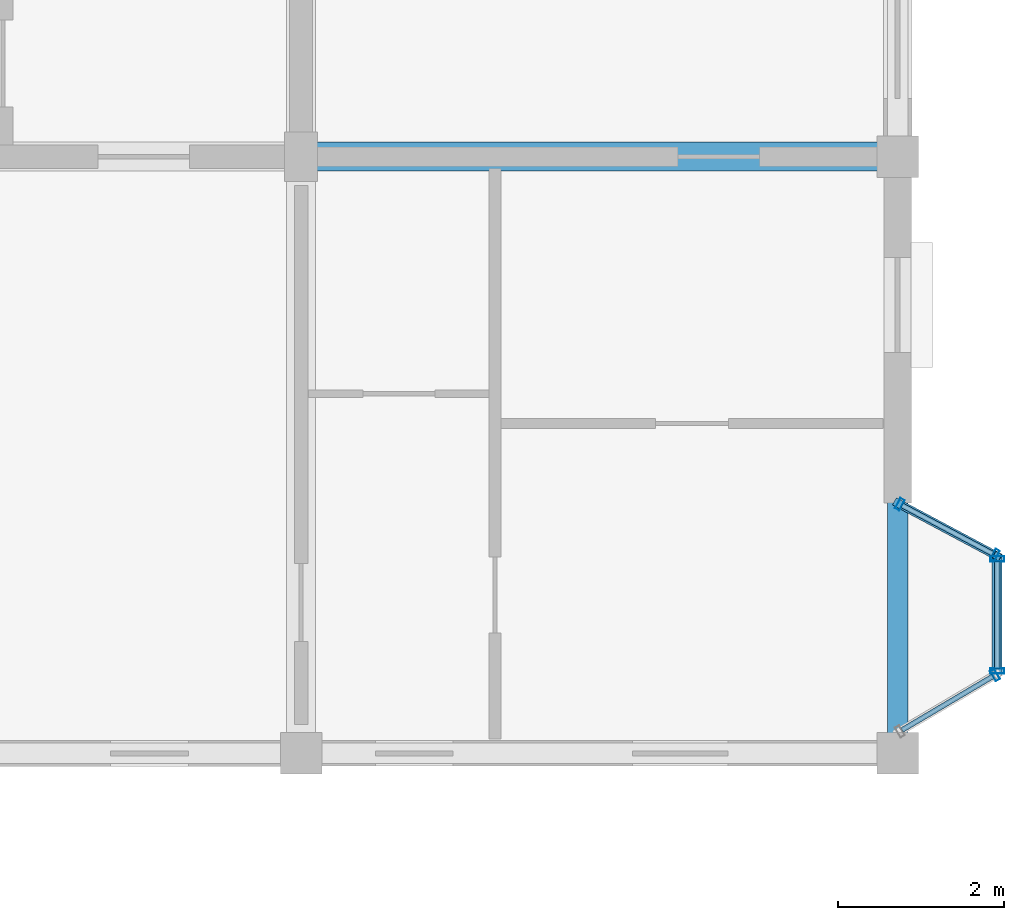
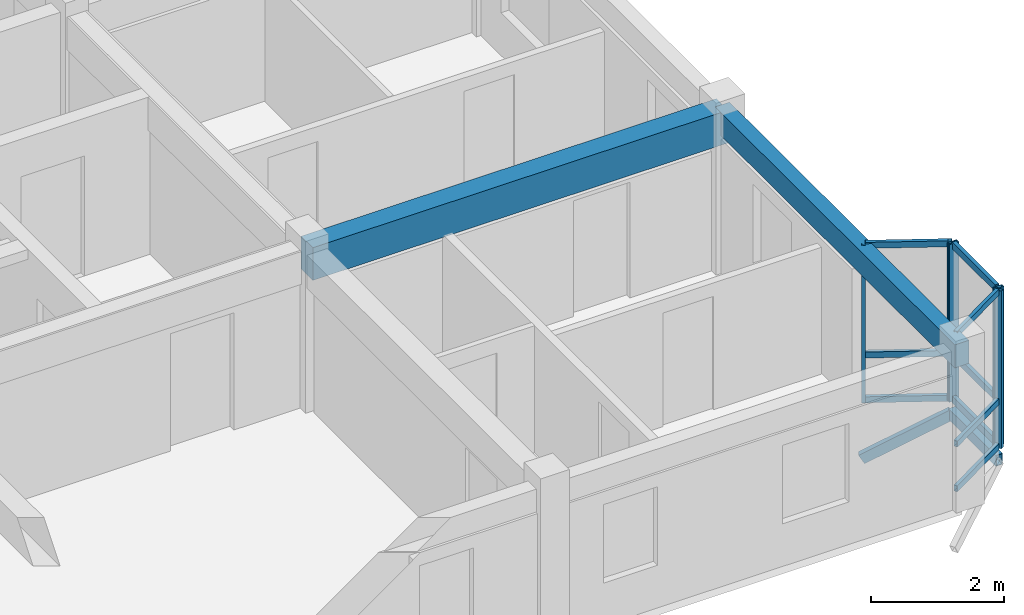
# One storey, part 24 of 70: 16 members, 2 beams, 3 elements without a shape of their own.
"""IFC4 building model written with IfcOpenShell, lengths in metres."""

from ifc_helpers import new_model, si_unit, direction, frame, origin, origin_2d, place, context, subcontext, project, spatial, rectangle, hollow_rectangle, extrude, material, layer, layer_set, material_profile, profile_set, type_object, element, aggregate, save


model = new_model("IFC4")

# Units and contexts
model_context = context("Model", 3, precision=1e-05, world=origin(), true_north=direction((0.0, 1.0)))
body_context = subcontext(model_context, "Body", "Model", "MODEL_VIEW")
ifc_project = project(units=[si_unit("LENGTHUNIT", "METRE"), si_unit("AREAUNIT", "SQUARE_METRE"), si_unit("VOLUMEUNIT", "CUBIC_METRE"), si_unit("PLANEANGLEUNIT", "RADIAN"), si_unit("MASSUNIT", "GRAM", prefix="KILO"), si_unit("THERMODYNAMICTEMPERATUREUNIT", "KELVIN"), si_unit("POWERUNIT", "WATT")], contexts=[model_context])

# Site, building, storey
site_placement = place(None, origin())
site = spatial("IfcSite", under=ifc_project, at=site_placement, CompositionType="ELEMENT")
building_placement = place(site_placement, origin())
building = spatial("IfcBuilding", under=site, at=building_placement, Name="Tavuni Mirador Residences", CompositionType="ELEMENT")
storey_placement = place(building_placement, frame((0.0, 0.0, 23.39990234375)))
storey = spatial("IfcBuildingStorey", under=building, at=storey_placement, Name="L07", CompositionType="ELEMENT", Elevation=23.39990234375)

# Beams
ifc_material_1 = material(Name="Precast concrete C40/50", Category="concrete")
ifc_material_profile_1 = material_profile(ifc_material_1, rectangle(XDim=0.35009765625, YDim=0.60009765625, at=origin_2d()), Name="PC 350x600", Category="concrete")
ifc_profile_set_1 = profile_set([ifc_material_profile_1], Name="Precast concrete C40/50")
beam_type_1 = type_object("IfcBeamType", Name="BT-B600", PredefinedType="BEAM", material=ifc_profile_set_1)
beam_1_placement = place(storey_placement, frame((111.60009765625, 93.60009765625, 2.590087890625), z_axis=(1.0, 0.0, 0.0), x_axis=(0.0, 1.0, 0.0)))
element("IfcBeam", 1, at=beam_1_placement, inside=storey, type_object=beam_type_1, Name="BMX-BLK-D-L07-02-01", PredefinedType="BEAM", context=body_context, shape_type="SweptSolid", body=[
    extrude(rectangle(XDim=0.35009765625, YDim=0.60009765625, at=origin_2d()), origin(), (0.0, 0.0, 1.0), 7.199951171875),
])
ifc_material_profile_2 = material_profile(ifc_material_1, rectangle(XDim=0.25, YDim=0.419921875, at=origin_2d()), Name="PC 250x420", Category="concrete")
ifc_profile_set_2 = profile_set([ifc_material_profile_2], Name="Precast concrete C40/50")
beam_type_2 = type_object("IfcBeamType", Name="BT-SP420", PredefinedType="SPANDREL", material=ifc_profile_set_2)
beam_2_placement = place(storey_placement, frame((118.800048828125, 86.39990234375, 2.68017578125), z_axis=(0.0, 1.0, 0.0), x_axis=(-1.0, 0.0, 0.0)))
element("IfcBeam", 2, at=beam_2_placement, inside=storey, type_object=beam_type_2, Name="BMY-BLK-D-L07-03-00", PredefinedType="SPANDREL", context=body_context, shape_type="SweptSolid", body=[
    extrude(rectangle(XDim=0.25, YDim=0.419921875, at=origin_2d()), origin(), (0.0, 0.0, 1.0), 7.2001953125),
])

# Curtain wall, member
ifc_material_2 = material(Name="Anodised aluminium", Category="aluminium")
ifc_layer_1 = layer(ifc_material_2, 0.1650390625, Name="Anodised aluminium", Category="aluminium")
ifc_layer_set_1 = layer_set([ifc_layer_1], Name="Anodised aluminium")
curtain_wall_type_1 = type_object("IfcCurtainWallType", Name="CWT-MIR-A", PredefinedType="NOTDEFINED", material=ifc_layer_set_1)
curtain_wall_1_placement = place(storey_placement, origin())
curtain_wall_1 = element("IfcCurtainWall", 3, at=curtain_wall_1_placement, inside=storey, type_object=curtain_wall_type_1, Name="CW-MIR-D-E1-L07-M1", PredefinedType="NOTDEFINED")
ifc_material_profile_3 = material_profile(ifc_material_2, hollow_rectangle(XDim=0.06005859375, YDim=0.139892578125, WallThickness=0.00390625, at=origin_2d()), Name="ALU 60x140x4.0", Category="aluminium")
ifc_profile_set_3 = profile_set([ifc_material_profile_3], Name="Anodised aluminium")
member_type_1 = type_object("IfcMemberType", Name="CWM-140", PredefinedType="MULLION", material=ifc_profile_set_3)
member_1_placement = place(storey_placement, frame((119.97412109375, 87.3447265625, 0.0), z_axis=(0.0, 0.0, 1.0), x_axis=(0.860640830284, 0.509212491254, 0.0)))
member_1 = element("IfcMember", 4, at=member_1_placement, type_object=member_type_1, Name="CW-01 mullion 2", PredefinedType="MULLION", context=body_context, shape_type="SweptSolid", body=[
    extrude(hollow_rectangle(XDim=0.06005859375, YDim=0.139892578125, WallThickness=0.00390625, at=origin_2d()), origin(), (0.0, 0.0, 1.0), 2.89013671875),
])

# Curtain wall, members
ifc_layer_2 = layer(ifc_material_2, 0.175048828125, Name="Anodised aluminium", Category="aluminium")
ifc_layer_set_2 = layer_set([ifc_layer_2], Name="Anodised aluminium")
curtain_wall_type_2 = type_object("IfcCurtainWallType", Name="CWT-MIR-C", PredefinedType="NOTDEFINED", material=ifc_layer_set_2)
curtain_wall_2_placement = place(storey_placement, origin())
curtain_wall_2 = element("IfcCurtainWall", 5, at=curtain_wall_2_placement, inside=storey, type_object=curtain_wall_type_2, Name="CW-MIR-D-E1-L07-M2", PredefinedType="NOTDEFINED")
member_2_placement = place(storey_placement, frame((119.9736328125, 88.794189453125, 0.0), z_axis=(0.0, 0.0, 1.0), x_axis=(-0.882352941175, 0.470588235296, 0.0)))
member_2 = element("IfcMember", 6, at=member_2_placement, type_object=member_type_1, Name="CW-03 mullion 1", PredefinedType="MULLION", context=body_context, shape_type="SweptSolid", body=[
    extrude(hollow_rectangle(XDim=0.06005859375, YDim=0.139892578125, WallThickness=0.00390625, at=origin_2d()), origin(), (0.0, 0.0, 1.0), 2.89013671875),
])
member_3_placement = place(storey_placement, frame((118.826416015625, 89.40576171875, 0.0), z_axis=(0.0, 0.0, 1.0), x_axis=(-0.882352941175, 0.470588235296, 0.0)))
member_3 = element("IfcMember", 7, at=member_3_placement, type_object=member_type_1, Name="CW-03 mullion 2", PredefinedType="MULLION", context=body_context, shape_type="SweptSolid", body=[
    extrude(hollow_rectangle(XDim=0.06005859375, YDim=0.139892578125, WallThickness=0.00390625, at=origin_2d()), origin(), (0.0, 0.0, 1.0), 2.89013671875),
])

ifc_layer_3 = layer(ifc_material_2, 0.14990234375, Name="Anodised aluminium", Category="aluminium")
ifc_layer_set_3 = layer_set([ifc_layer_3], Name="Anodised aluminium")
curtain_wall_type_3 = type_object("IfcCurtainWallType", Name="CWT-MIR-B", PredefinedType="NOTDEFINED", material=ifc_layer_set_3)
curtain_wall_3_placement = place(storey_placement, origin())
curtain_wall_3 = element("IfcCurtainWall", 8, at=curtain_wall_3_placement, inside=storey, type_object=curtain_wall_type_3, Name="CW-MIR-D-E1-L07-MF", PredefinedType="NOTDEFINED")
ifc_material_profile_4 = material_profile(ifc_material_2, hollow_rectangle(XDim=0.06494140625, YDim=0.1650390625, WallThickness=0.00439453125, at=origin_2d()), Name="ALU 65x165x4.5", Category="aluminium")
ifc_profile_set_4 = profile_set([ifc_material_profile_4], Name="Anodised aluminium")
member_type_2 = type_object("IfcMemberType", Name="CWM-165", PredefinedType="MULLION", material=ifc_profile_set_4)
member_4_placement = place(storey_placement, frame((120.0, 87.392578125, 0.0), z_axis=(0.0, 0.0, 1.0), x_axis=(0.0, 1.0, 0.0)))
member_4 = element("IfcMember", 9, at=member_4_placement, type_object=member_type_2, Name="CW-02 mullion 1", PredefinedType="MULLION", context=body_context, shape_type="SweptSolid", body=[
    extrude(hollow_rectangle(XDim=0.06494140625, YDim=0.1650390625, WallThickness=0.00439453125, at=origin_2d()), origin(), (0.0, 0.0, 1.0), 2.89013671875),
])
member_5_placement = place(storey_placement, frame((120.0, 88.74755859375, 0.0), z_axis=(0.0, 0.0, 1.0), x_axis=(0.0, 1.0, 0.0)))
member_5 = element("IfcMember", 10, at=member_5_placement, type_object=member_type_2, Name="CW-02 mullion 2", PredefinedType="MULLION", context=body_context, shape_type="SweptSolid", body=[
    extrude(hollow_rectangle(XDim=0.06494140625, YDim=0.1650390625, WallThickness=0.00439453125, at=origin_2d()), origin(), (0.0, 0.0, 1.0), 2.89013671875),
])

# Member
ifc_material_profile_5 = material_profile(ifc_material_2, hollow_rectangle(XDim=0.06005859375, YDim=0.110107421875, WallThickness=0.00390625, at=origin_2d()), Name="ALU 60x110x4.0", Category="aluminium")
ifc_profile_set_5 = profile_set([ifc_material_profile_5], Name="Anodised aluminium")
member_type_3 = type_object("IfcMemberType", Name="CWT-110", PredefinedType="USERDEFINED", material=ifc_profile_set_5)
member_6_placement = place(storey_placement, frame((118.8515625, 86.6806640625, 0.030029296875), z_axis=(0.860705202114, 0.509103678098, 0.0), x_axis=(-0.509103678098, 0.860705202114, 0.0)))
member_6 = element("IfcMember", 11, at=member_6_placement, type_object=member_type_3, Name="CW-01 transom 1.1", ObjectType="TRANSOM", PredefinedType="USERDEFINED", context=body_context, shape_type="SweptSolid", body=[
    extrude(hollow_rectangle(XDim=0.06005859375, YDim=0.110107421875, WallThickness=0.00390625, at=origin_2d()), origin(), (0.0, 0.0, 1.0), 1.274169921875),
])

member_7_placement = place(storey_placement, frame((118.8515625, 86.6806640625, 0.85009765625), z_axis=(0.860705202114, 0.509103678098, 0.0), x_axis=(-0.509103678098, 0.860705202114, 0.0)))
member_7 = element("IfcMember", 12, at=member_7_placement, type_object=member_type_3, Name="CW-01 transom 1.2", ObjectType="TRANSOM", PredefinedType="USERDEFINED", context=body_context, shape_type="SweptSolid", body=[
    extrude(hollow_rectangle(XDim=0.06005859375, YDim=0.110107421875, WallThickness=0.00390625, at=origin_2d()), origin(), (0.0, 0.0, 1.0), 1.274169921875),
])

member_8_placement = place(storey_placement, frame((118.8515625, 86.6806640625, 2.860107421875), z_axis=(0.860705202114, 0.509103678098, 0.0), x_axis=(-0.509103678098, 0.860705202114, 0.0)))
member_8 = element("IfcMember", 13, at=member_8_placement, type_object=member_type_3, Name="CW-01 transom 1.3", ObjectType="TRANSOM", PredefinedType="USERDEFINED", context=body_context, shape_type="SweptSolid", body=[
    extrude(hollow_rectangle(XDim=0.06005859375, YDim=0.110107421875, WallThickness=0.00390625, at=origin_2d()), origin(), (0.0, 0.0, 1.0), 1.274169921875),
])

aggregate(curtain_wall_1, [member_1, member_6, member_7, member_8])

member_9_placement = place(storey_placement, frame((119.947021484375, 88.808349609375, 0.030029296875), z_axis=(-0.882342039492, 0.470608675382, 0.0), x_axis=(-0.470608675382, -0.882342039492, 0.0)))
member_9 = element("IfcMember", 14, at=member_9_placement, type_object=member_type_3, Name="CW-03 transom 1.1", ObjectType="TRANSOM", PredefinedType="USERDEFINED", context=body_context, shape_type="SweptSolid", body=[
    extrude(hollow_rectangle(XDim=0.06005859375, YDim=0.110107421875, WallThickness=0.00390625, at=origin_2d()), origin(), (0.0, 0.0, 1.0), 1.239990234375),
])

member_10_placement = place(storey_placement, frame((119.947021484375, 88.808349609375, 0.85009765625), z_axis=(-0.882342039492, 0.470608675382, 0.0), x_axis=(-0.470608675382, -0.882342039492, 0.0)))
member_10 = element("IfcMember", 15, at=member_10_placement, type_object=member_type_3, Name="CW-03 transom 1.2", ObjectType="TRANSOM", PredefinedType="USERDEFINED", context=body_context, shape_type="SweptSolid", body=[
    extrude(hollow_rectangle(XDim=0.06005859375, YDim=0.110107421875, WallThickness=0.00390625, at=origin_2d()), origin(), (0.0, 0.0, 1.0), 1.239990234375),
])

member_11_placement = place(storey_placement, frame((119.947021484375, 88.808349609375, 2.860107421875), z_axis=(-0.882342039492, 0.470608675382, 0.0), x_axis=(-0.470608675382, -0.882342039492, 0.0)))
member_11 = element("IfcMember", 16, at=member_11_placement, type_object=member_type_3, Name="CW-03 transom 1.3", ObjectType="TRANSOM", PredefinedType="USERDEFINED", context=body_context, shape_type="SweptSolid", body=[
    extrude(hollow_rectangle(XDim=0.06005859375, YDim=0.110107421875, WallThickness=0.00390625, at=origin_2d()), origin(), (0.0, 0.0, 1.0), 1.239990234375),
])

aggregate(curtain_wall_2, [member_2, member_3, member_9, member_10, member_11])

ifc_material_profile_6 = material_profile(ifc_material_2, hollow_rectangle(XDim=0.06494140625, YDim=0.125, WallThickness=0.00439453125, at=origin_2d()), Name="ALU 65x125x4.5", Category="aluminium")
ifc_profile_set_6 = profile_set([ifc_material_profile_6], Name="Anodised aluminium")
member_type_4 = type_object("IfcMemberType", Name="CWT-125", PredefinedType="USERDEFINED", material=ifc_profile_set_6)
member_12_placement = place(storey_placement, frame((120.0, 87.425048828125, 0.03271484375), z_axis=(0.0, 1.0, 0.0), x_axis=(-1.0, 0.0, 0.0)))
member_12 = element("IfcMember", 17, at=member_12_placement, type_object=member_type_4, Name="CW-02 transom 1.1", ObjectType="TRANSOM", PredefinedType="USERDEFINED", context=body_context, shape_type="SweptSolid", body=[
    extrude(hollow_rectangle(XDim=0.06494140625, YDim=0.125, WallThickness=0.00439453125, at=origin_2d()), origin(), (0.0, 0.0, 1.0), 1.2900390625),
])

member_13_placement = place(storey_placement, frame((120.0, 87.425048828125, 0.85009765625), z_axis=(0.0, 1.0, 0.0), x_axis=(-1.0, 0.0, 0.0)))
member_13 = element("IfcMember", 18, at=member_13_placement, type_object=member_type_4, Name="CW-02 transom 1.2", ObjectType="TRANSOM", PredefinedType="USERDEFINED", context=body_context, shape_type="SweptSolid", body=[
    extrude(hollow_rectangle(XDim=0.06494140625, YDim=0.125, WallThickness=0.00439453125, at=origin_2d()), origin(), (0.0, 0.0, 1.0), 1.2900390625),
])

member_14_placement = place(storey_placement, frame((120.0, 87.425048828125, 2.857666015625), z_axis=(0.0, 1.0, 0.0), x_axis=(-1.0, 0.0, 0.0)))
member_14 = element("IfcMember", 19, at=member_14_placement, type_object=member_type_4, Name="CW-02 transom 1.3", ObjectType="TRANSOM", PredefinedType="USERDEFINED", context=body_context, shape_type="SweptSolid", body=[
    extrude(hollow_rectangle(XDim=0.06494140625, YDim=0.125, WallThickness=0.00439453125, at=origin_2d()), origin(), (0.0, 0.0, 1.0), 1.2900390625),
])

aggregate(curtain_wall_3, [member_4, member_5, member_12, member_13, member_14])

# Members
ifc_material_3 = material(Name="Structural steel S355", Category="steel")
ifc_material_profile_7 = material_profile(ifc_material_3, hollow_rectangle(XDim=0.10009765625, YDim=0.179931640625, WallThickness=0.008056640625, at=origin_2d()), Name="RHS 180x100x8.0", Category="steel")
ifc_profile_set_7 = profile_set([ifc_material_profile_7], Name="Structural steel S355")
member_type_5 = type_object("IfcMemberType", Name="MT-BR-RHS180", PredefinedType="BRACE", material=ifc_profile_set_7)
member_15_placement = place(storey_placement, frame((118.800048828125, 89.419921875, -1.0498046875), z_axis=(0.763028678593, -0.406896880283, 0.50221724827), x_axis=(0.47054164445, 0.882377788047, 0.0)))
element("IfcMember", 20, at=member_15_placement, inside=storey, type_object=member_type_5, Name="MBRK-MIR-D-E1-L07-2", PredefinedType="BRACE", context=body_context, shape_type="SweptSolid", body=[
    extrude(hollow_rectangle(XDim=0.10009765625, YDim=0.179931640625, WallThickness=0.008056640625, at=origin_2d()), origin(), (0.0, 0.0, 1.0), 1.572509765625),
])
ifc_material_profile_8 = material_profile(ifc_material_3, hollow_rectangle(XDim=0.1201171875, YDim=0.199951171875, WallThickness=0.010009765625, at=origin_2d()), Name="RHS 200x120x10.0", Category="steel")
ifc_profile_set_8 = profile_set([ifc_material_profile_8], Name="Structural steel S355")
member_type_6 = type_object("IfcMemberType", Name="MT-ST-RHS200", PredefinedType="STRUT", material=ifc_profile_set_8)
member_16_placement = place(storey_placement, frame((120.0, 87.360107421875, -0.260009765625), z_axis=(0.0, 1.0, 0.0), x_axis=(-1.0, 0.0, 0.0)))
element("IfcMember", 21, at=member_16_placement, inside=storey, type_object=member_type_6, Name="MRIM-MIR-D-E1-L07", PredefinedType="STRUT", context=body_context, shape_type="SweptSolid", body=[
    extrude(hollow_rectangle(XDim=0.1201171875, YDim=0.199951171875, WallThickness=0.010009765625, at=origin_2d()), origin(), (0.0, 0.0, 1.0), 1.419921875),
])

save(model, "model.ifc")
